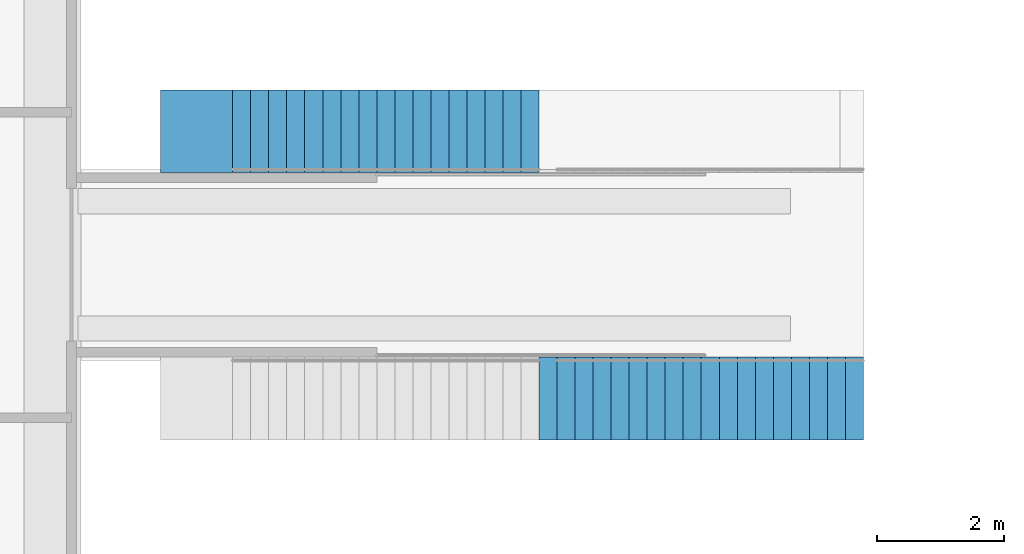
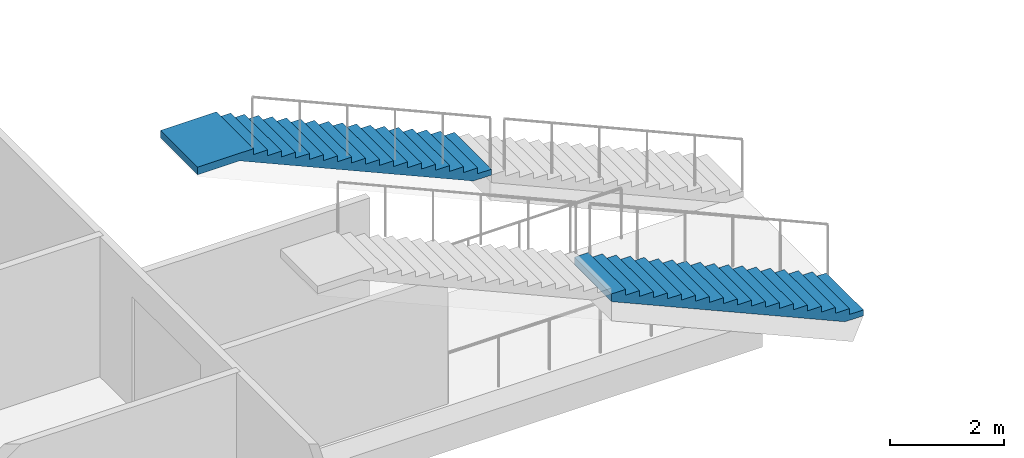
# One storey, part 113 of 175: 2 stair flights, 2 elements without a shape of their own.
"""IFC4 building model written with IfcOpenShell, lengths in metres."""

from ifc_helpers import new_model, si_unit, direction, frame, origin, place, context, subcontext, project, spatial, faceted_brep, material, type_object, element, aggregate, save


model = new_model("IFC4")

# Units and contexts
model_context = context("Model", 3, precision=1e-05, world=origin(), true_north=direction((0.0, 1.0)))
body_context = subcontext(model_context, "Body", "Model", "MODEL_VIEW")
ifc_project = project(units=[si_unit("LENGTHUNIT", "METRE"), si_unit("AREAUNIT", "SQUARE_METRE"), si_unit("VOLUMEUNIT", "CUBIC_METRE"), si_unit("PLANEANGLEUNIT", "RADIAN"), si_unit("MASSUNIT", "GRAM", prefix="KILO")], contexts=[model_context])

# Site, building, storey
site_placement = place(None, origin())
site = spatial("IfcSite", under=ifc_project, at=site_placement, CompositionType="ELEMENT")
building_placement = place(site_placement, origin())
building = spatial("IfcBuilding", under=site, at=building_placement, Name="Ogive Plaza Stadium", CompositionType="ELEMENT")
storey_placement = place(building_placement, origin())
storey = spatial("IfcBuildingStorey", under=building, at=storey_placement, Name="L00", CompositionType="ELEMENT", Elevation=0.0)

# Stair, stair flight
ifc_material_1 = material(Name="Concrete C40/50", Category="concrete")
stair_type = type_object("IfcStairType", Name="Aisle stair", PredefinedType="STRAIGHT_RUN_STAIR", material=ifc_material_1)
stair_1_placement = place(storey_placement, origin())
stair_1 = element("IfcStair", 1, at=stair_1_placement, inside=storey, type_object=stair_type, Name="Aisle stair SA27L", PredefinedType="STRAIGHT_RUN_STAIR")
ifc_material_2 = material(Name="Concrete C40/50", Category="concrete")
stair_flight_type = type_object("IfcStairFlightType", Name="Aisle stair flight", PredefinedType="STRAIGHT", material=ifc_material_2)
stair_flight_1_placement = place(storey_placement, frame((-54.25, 47.10009765625, 2.25), z_axis=(0.0, 0.0, 1.0), x_axis=(-1.0, 0.0, 0.0)))
stair_flight_1 = element("IfcStairFlight", 2, at=stair_flight_1_placement, type_object=stair_flight_type, Name="SA27L flight 2", NumberOfRisers=18, NumberOfTreads=17, PredefinedType="STRAIGHT", RiserHeight=0.125, TreadLength=0.283333333, context=body_context, shape_type="Brep", body=[
    faceted_brep([(0.371337890625, -0.64990234375, 0.0), (5.10009765625, -0.64990234375, 2.086181640625), (5.949951171875, -0.64990234375, 2.086181640625), (5.949951171875, -0.64990234375, 2.25), (4.816650390625, -0.64990234375, 2.25), (4.816650390625, -0.64990234375, 2.125), (4.533447265625, -0.64990234375, 2.125), (4.533447265625, -0.64990234375, 2.0), (4.25, -0.64990234375, 2.0), (4.25, -0.64990234375, 1.875), (3.966552734375, -0.64990234375, 1.875), (3.966552734375, -0.64990234375, 1.75), (3.683349609375, -0.64990234375, 1.75), (3.683349609375, -0.64990234375, 1.625), (3.39990234375, -0.64990234375, 1.625), (3.39990234375, -0.64990234375, 1.5), (3.11669921875, -0.64990234375, 1.5), (3.11669921875, -0.64990234375, 1.375), (2.833251953125, -0.64990234375, 1.375), (2.833251953125, -0.64990234375, 1.25), (2.550048828125, -0.64990234375, 1.25), (2.550048828125, -0.64990234375, 1.125), (2.2666015625, -0.64990234375, 1.125), (2.2666015625, -0.64990234375, 1.0), (1.9833984375, -0.64990234375, 1.0), (1.9833984375, -0.64990234375, 0.875), (1.699951171875, -0.64990234375, 0.875), (1.699951171875, -0.64990234375, 0.75), (1.416748046875, -0.64990234375, 0.75), (1.416748046875, -0.64990234375, 0.625), (1.13330078125, -0.64990234375, 0.625), (1.13330078125, -0.64990234375, 0.5), (0.85009765625, -0.64990234375, 0.5), (0.85009765625, -0.64990234375, 0.375), (0.566650390625, -0.64990234375, 0.375), (0.566650390625, -0.64990234375, 0.25), (0.283447265625, -0.64990234375, 0.25), (0.283447265625, -0.64990234375, 0.125), (0.0, -0.64990234375, 0.125), (0.0, -0.64990234375, 0.0), (0.0, 0.64990234375, 0.0), (0.0, 0.64990234375, 0.125), (0.283447265625, 0.64990234375, 0.125), (0.283447265625, 0.64990234375, 0.25), (0.566650390625, 0.64990234375, 0.25), (0.566650390625, 0.64990234375, 0.375), (0.85009765625, 0.64990234375, 0.375), (0.85009765625, 0.64990234375, 0.5), (1.13330078125, 0.64990234375, 0.5), (1.13330078125, 0.64990234375, 0.625), (1.416748046875, 0.64990234375, 0.625), (1.416748046875, 0.64990234375, 0.75), (1.699951171875, 0.64990234375, 0.75), (1.699951171875, 0.64990234375, 0.875), (1.9833984375, 0.64990234375, 0.875), (1.9833984375, 0.64990234375, 1.0), (2.2666015625, 0.64990234375, 1.0), (2.2666015625, 0.64990234375, 1.125), (2.550048828125, 0.64990234375, 1.125), (2.550048828125, 0.64990234375, 1.25), (2.833251953125, 0.64990234375, 1.25), (2.833251953125, 0.64990234375, 1.375), (3.11669921875, 0.64990234375, 1.375), (3.11669921875, 0.64990234375, 1.5), (3.39990234375, 0.64990234375, 1.5), (3.39990234375, 0.64990234375, 1.625), (3.683349609375, 0.64990234375, 1.625), (3.683349609375, 0.64990234375, 1.75), (3.966552734375, 0.64990234375, 1.75), (3.966552734375, 0.64990234375, 1.875), (4.25, 0.64990234375, 1.875), (4.25, 0.64990234375, 2.0), (4.533447265625, 0.64990234375, 2.0), (4.533447265625, 0.64990234375, 2.125), (4.816650390625, 0.64990234375, 2.125), (4.816650390625, 0.64990234375, 2.25), (5.949951171875, 0.64990234375, 2.25), (5.949951171875, 0.64990234375, 2.086181640625), (5.10009765625, 0.64990234375, 2.086181640625), (0.371337890625, 0.64990234375, 0.0), (0.371337890625, -0.324951171875, 0.0), (5.10009765625, -0.324951171875, 2.086181640625), (0.371337890625, 0.0, 0.0), (5.10009765625, 0.0, 2.086181640625), (0.371337890625, 0.324951171875, 0.0), (5.10009765625, 0.324951171875, 2.086181640625), (5.949951171875, -0.324951171875, 2.086181640625), (5.949951171875, 0.0, 2.086181640625), (5.949951171875, 0.324951171875, 2.086181640625), (5.949951171875, -0.324951171875, 2.25), (5.949951171875, 0.0, 2.25), (5.949951171875, 0.324951171875, 2.25), (4.816650390625, -0.324951171875, 2.25), (4.816650390625, 0.0, 2.25), (4.816650390625, 0.324951171875, 2.25), (4.816650390625, -0.324951171875, 2.125), (4.816650390625, 0.0, 2.125), (4.816650390625, 0.324951171875, 2.125), (4.533447265625, -0.324951171875, 2.125), (4.533447265625, 0.0, 2.125), (4.533447265625, 0.324951171875, 2.125), (4.533447265625, -0.324951171875, 2.0), (4.533447265625, 0.0, 2.0), (4.533447265625, 0.324951171875, 2.0), (4.25, -0.324951171875, 2.0), (4.25, 0.0, 2.0), (4.25, 0.324951171875, 2.0), (4.25, -0.324951171875, 1.875), (4.25, 0.0, 1.875), (4.25, 0.324951171875, 1.875), (3.966552734375, -0.324951171875, 1.875), (3.966552734375, 0.0, 1.875), (3.966552734375, 0.324951171875, 1.875), (3.966552734375, -0.324951171875, 1.75), (3.966552734375, 0.0, 1.75), (3.966552734375, 0.324951171875, 1.75), (3.683349609375, -0.324951171875, 1.75), (3.683349609375, 0.0, 1.75), (3.683349609375, 0.324951171875, 1.75), (3.683349609375, -0.324951171875, 1.625), (3.683349609375, 0.0, 1.625), (3.683349609375, 0.324951171875, 1.625), (3.39990234375, -0.324951171875, 1.625), (3.39990234375, 0.0, 1.625), (3.39990234375, 0.324951171875, 1.625), (3.39990234375, -0.324951171875, 1.5), (3.39990234375, 0.0, 1.5), (3.39990234375, 0.324951171875, 1.5), (3.11669921875, -0.324951171875, 1.5), (3.11669921875, 0.0, 1.5), (3.11669921875, 0.324951171875, 1.5), (3.11669921875, -0.324951171875, 1.375), (3.11669921875, 0.0, 1.375), (3.11669921875, 0.324951171875, 1.375), (2.833251953125, -0.324951171875, 1.375), (2.833251953125, 0.0, 1.375), (2.833251953125, 0.324951171875, 1.375), (2.833251953125, -0.324951171875, 1.25), (2.833251953125, 0.0, 1.25), (2.833251953125, 0.324951171875, 1.25), (2.550048828125, -0.324951171875, 1.25), (2.550048828125, 0.0, 1.25), (2.550048828125, 0.324951171875, 1.25), (2.550048828125, -0.324951171875, 1.125), (2.550048828125, 0.0, 1.125), (2.550048828125, 0.324951171875, 1.125), (2.2666015625, -0.324951171875, 1.125), (2.2666015625, 0.0, 1.125), (2.2666015625, 0.324951171875, 1.125), (2.2666015625, -0.324951171875, 1.0), (2.2666015625, 0.0, 1.0), (2.2666015625, 0.324951171875, 1.0), (1.9833984375, -0.324951171875, 1.0), (1.9833984375, 0.0, 1.0), (1.9833984375, 0.324951171875, 1.0), (1.9833984375, -0.324951171875, 0.875), (1.9833984375, 0.0, 0.875), (1.9833984375, 0.324951171875, 0.875), (1.699951171875, -0.324951171875, 0.875), (1.699951171875, 0.0, 0.875), (1.699951171875, 0.324951171875, 0.875), (1.699951171875, -0.324951171875, 0.75), (1.699951171875, 0.0, 0.75), (1.699951171875, 0.324951171875, 0.75), (1.416748046875, -0.324951171875, 0.75), (1.416748046875, 0.0, 0.75), (1.416748046875, 0.324951171875, 0.75), (1.416748046875, -0.324951171875, 0.625), (1.416748046875, 0.0, 0.625), (1.416748046875, 0.324951171875, 0.625), (1.13330078125, -0.324951171875, 0.625), (1.13330078125, 0.0, 0.625), (1.13330078125, 0.324951171875, 0.625), (1.13330078125, -0.324951171875, 0.5), (1.13330078125, 0.0, 0.5), (1.13330078125, 0.324951171875, 0.5), (0.85009765625, -0.324951171875, 0.5), (0.85009765625, 0.0, 0.5), (0.85009765625, 0.324951171875, 0.5), (0.85009765625, -0.324951171875, 0.375), (0.85009765625, 0.0, 0.375), (0.85009765625, 0.324951171875, 0.375), (0.566650390625, -0.324951171875, 0.375), (0.566650390625, 0.0, 0.375), (0.566650390625, 0.324951171875, 0.375), (0.566650390625, -0.324951171875, 0.25), (0.566650390625, 0.0, 0.25), (0.566650390625, 0.324951171875, 0.25), (0.283447265625, -0.324951171875, 0.25), (0.283447265625, 0.0, 0.25), (0.283447265625, 0.324951171875, 0.25), (0.283447265625, -0.324951171875, 0.125), (0.283447265625, 0.0, 0.125), (0.283447265625, 0.324951171875, 0.125), (0.0, -0.324951171875, 0.125), (0.0, 0.0, 0.125), (0.0, 0.324951171875, 0.125), (0.0, -0.324951171875, 0.0), (0.0, 0.0, 0.0), (0.0, 0.324951171875, 0.0)], [[[0, 1, 2, 3, 4, 5, 6, 7, 8, 9, 10, 11, 12, 13, 14, 15, 16, 17, 18, 19, 20, 21, 22, 23, 24, 25, 26, 27, 28, 29, 30, 31, 32, 33, 34, 35, 36, 37, 38, 39]], [[40, 41, 42, 43, 44, 45, 46, 47, 48, 49, 50, 51, 52, 53, 54, 55, 56, 57, 58, 59, 60, 61, 62, 63, 64, 65, 66, 67, 68, 69, 70, 71, 72, 73, 74, 75, 76, 77, 78, 79]], [[0, 80, 81, 1]], [[80, 82, 83, 81]], [[82, 84, 85, 83]], [[84, 79, 78, 85]], [[1, 81, 86, 2]], [[81, 83, 87, 86]], [[83, 85, 88, 87]], [[85, 78, 77, 88]], [[2, 86, 89, 3]], [[86, 87, 90, 89]], [[87, 88, 91, 90]], [[88, 77, 76, 91]], [[3, 89, 92, 4]], [[89, 90, 93, 92]], [[90, 91, 94, 93]], [[91, 76, 75, 94]], [[4, 92, 95, 5]], [[92, 93, 96, 95]], [[93, 94, 97, 96]], [[94, 75, 74, 97]], [[5, 95, 98, 6]], [[95, 96, 99, 98]], [[96, 97, 100, 99]], [[97, 74, 73, 100]], [[6, 98, 101, 7]], [[98, 99, 102, 101]], [[99, 100, 103, 102]], [[100, 73, 72, 103]], [[7, 101, 104, 8]], [[101, 102, 105, 104]], [[102, 103, 106, 105]], [[103, 72, 71, 106]], [[8, 104, 107, 9]], [[104, 105, 108, 107]], [[105, 106, 109, 108]], [[106, 71, 70, 109]], [[9, 107, 110, 10]], [[107, 108, 111, 110]], [[108, 109, 112, 111]], [[109, 70, 69, 112]], [[10, 110, 113, 11]], [[110, 111, 114, 113]], [[111, 112, 115, 114]], [[112, 69, 68, 115]], [[11, 113, 116, 12]], [[113, 114, 117, 116]], [[114, 115, 118, 117]], [[115, 68, 67, 118]], [[12, 116, 119, 13]], [[116, 117, 120, 119]], [[117, 118, 121, 120]], [[118, 67, 66, 121]], [[13, 119, 122, 14]], [[119, 120, 123, 122]], [[120, 121, 124, 123]], [[121, 66, 65, 124]], [[14, 122, 125, 15]], [[122, 123, 126, 125]], [[123, 124, 127, 126]], [[124, 65, 64, 127]], [[15, 125, 128, 16]], [[125, 126, 129, 128]], [[126, 127, 130, 129]], [[127, 64, 63, 130]], [[16, 128, 131, 17]], [[128, 129, 132, 131]], [[129, 130, 133, 132]], [[130, 63, 62, 133]], [[17, 131, 134, 18]], [[131, 132, 135, 134]], [[132, 133, 136, 135]], [[133, 62, 61, 136]], [[18, 134, 137, 19]], [[134, 135, 138, 137]], [[135, 136, 139, 138]], [[136, 61, 60, 139]], [[19, 137, 140, 20]], [[137, 138, 141, 140]], [[138, 139, 142, 141]], [[139, 60, 59, 142]], [[20, 140, 143, 21]], [[140, 141, 144, 143]], [[141, 142, 145, 144]], [[142, 59, 58, 145]], [[21, 143, 146, 22]], [[143, 144, 147, 146]], [[144, 145, 148, 147]], [[145, 58, 57, 148]], [[22, 146, 149, 23]], [[146, 147, 150, 149]], [[147, 148, 151, 150]], [[148, 57, 56, 151]], [[23, 149, 152, 24]], [[149, 150, 153, 152]], [[150, 151, 154, 153]], [[151, 56, 55, 154]], [[24, 152, 155, 25]], [[152, 153, 156, 155]], [[153, 154, 157, 156]], [[154, 55, 54, 157]], [[25, 155, 158, 26]], [[155, 156, 159, 158]], [[156, 157, 160, 159]], [[157, 54, 53, 160]], [[26, 158, 161, 27]], [[158, 159, 162, 161]], [[159, 160, 163, 162]], [[160, 53, 52, 163]], [[27, 161, 164, 28]], [[161, 162, 165, 164]], [[162, 163, 166, 165]], [[163, 52, 51, 166]], [[28, 164, 167, 29]], [[164, 165, 168, 167]], [[165, 166, 169, 168]], [[166, 51, 50, 169]], [[29, 167, 170, 30]], [[167, 168, 171, 170]], [[168, 169, 172, 171]], [[169, 50, 49, 172]], [[30, 170, 173, 31]], [[170, 171, 174, 173]], [[171, 172, 175, 174]], [[172, 49, 48, 175]], [[31, 173, 176, 32]], [[173, 174, 177, 176]], [[174, 175, 178, 177]], [[175, 48, 47, 178]], [[32, 176, 179, 33]], [[176, 177, 180, 179]], [[177, 178, 181, 180]], [[178, 47, 46, 181]], [[33, 179, 182, 34]], [[179, 180, 183, 182]], [[180, 181, 184, 183]], [[181, 46, 45, 184]], [[34, 182, 185, 35]], [[182, 183, 186, 185]], [[183, 184, 187, 186]], [[184, 45, 44, 187]], [[35, 185, 188, 36]], [[185, 186, 189, 188]], [[186, 187, 190, 189]], [[187, 44, 43, 190]], [[36, 188, 191, 37]], [[188, 189, 192, 191]], [[189, 190, 193, 192]], [[190, 43, 42, 193]], [[37, 191, 194, 38]], [[191, 192, 195, 194]], [[192, 193, 196, 195]], [[193, 42, 41, 196]], [[38, 194, 197, 39]], [[194, 195, 198, 197]], [[195, 196, 199, 198]], [[196, 41, 40, 199]], [[39, 197, 80, 0]], [[197, 198, 82, 80]], [[198, 199, 84, 82]], [[199, 40, 79, 84]]]),
])
aggregate(stair_1, [stair_flight_1])

stair_2_placement = place(storey_placement, origin())
stair_2 = element("IfcStair", 3, at=stair_2_placement, inside=storey, type_object=stair_type, Name="Aisle stair SA27R", PredefinedType="STRAIGHT_RUN_STAIR")
stair_flight_2_placement = place(storey_placement, frame((-49.14990234375, 42.89990234375, 0.0), z_axis=(0.0, 0.0, 1.0), x_axis=(-1.0, 0.0, 0.0)))
stair_flight_2 = element("IfcStairFlight", 4, at=stair_flight_2_placement, type_object=stair_flight_type, Name="SA27R flight 1", NumberOfRisers=18, NumberOfTreads=17, PredefinedType="STRAIGHT", RiserHeight=0.125, TreadLength=0.283333333, context=body_context, shape_type="Brep", body=[
    faceted_brep([(0.371337890625, -0.64990234375, 0.0), (5.10009765625, -0.64990234375, 2.086181640625), (5.10009765625, -0.64990234375, 2.25), (4.816650390625, -0.64990234375, 2.25), (4.816650390625, -0.64990234375, 2.125), (4.533447265625, -0.64990234375, 2.125), (4.533447265625, -0.64990234375, 2.0), (4.25, -0.64990234375, 2.0), (4.25, -0.64990234375, 1.875), (3.966552734375, -0.64990234375, 1.875), (3.966552734375, -0.64990234375, 1.75), (3.683349609375, -0.64990234375, 1.75), (3.683349609375, -0.64990234375, 1.625), (3.39990234375, -0.64990234375, 1.625), (3.39990234375, -0.64990234375, 1.5), (3.11669921875, -0.64990234375, 1.5), (3.11669921875, -0.64990234375, 1.375), (2.833251953125, -0.64990234375, 1.375), (2.833251953125, -0.64990234375, 1.25), (2.550048828125, -0.64990234375, 1.25), (2.550048828125, -0.64990234375, 1.125), (2.2666015625, -0.64990234375, 1.125), (2.2666015625, -0.64990234375, 1.0), (1.9833984375, -0.64990234375, 1.0), (1.9833984375, -0.64990234375, 0.875), (1.699951171875, -0.64990234375, 0.875), (1.699951171875, -0.64990234375, 0.75), (1.416748046875, -0.64990234375, 0.75), (1.416748046875, -0.64990234375, 0.625), (1.13330078125, -0.64990234375, 0.625), (1.13330078125, -0.64990234375, 0.5), (0.85009765625, -0.64990234375, 0.5), (0.85009765625, -0.64990234375, 0.375), (0.566650390625, -0.64990234375, 0.375), (0.566650390625, -0.64990234375, 0.25), (0.283447265625, -0.64990234375, 0.25), (0.283447265625, -0.64990234375, 0.125), (0.0, -0.64990234375, 0.125), (0.0, -0.64990234375, 0.0), (0.0, 0.64990234375, 0.0), (0.0, 0.64990234375, 0.125), (0.283447265625, 0.64990234375, 0.125), (0.283447265625, 0.64990234375, 0.25), (0.566650390625, 0.64990234375, 0.25), (0.566650390625, 0.64990234375, 0.375), (0.85009765625, 0.64990234375, 0.375), (0.85009765625, 0.64990234375, 0.5), (1.13330078125, 0.64990234375, 0.5), (1.13330078125, 0.64990234375, 0.625), (1.416748046875, 0.64990234375, 0.625), (1.416748046875, 0.64990234375, 0.75), (1.699951171875, 0.64990234375, 0.75), (1.699951171875, 0.64990234375, 0.875), (1.9833984375, 0.64990234375, 0.875), (1.9833984375, 0.64990234375, 1.0), (2.2666015625, 0.64990234375, 1.0), (2.2666015625, 0.64990234375, 1.125), (2.550048828125, 0.64990234375, 1.125), (2.550048828125, 0.64990234375, 1.25), (2.833251953125, 0.64990234375, 1.25), (2.833251953125, 0.64990234375, 1.375), (3.11669921875, 0.64990234375, 1.375), (3.11669921875, 0.64990234375, 1.5), (3.39990234375, 0.64990234375, 1.5), (3.39990234375, 0.64990234375, 1.625), (3.683349609375, 0.64990234375, 1.625), (3.683349609375, 0.64990234375, 1.75), (3.966552734375, 0.64990234375, 1.75), (3.966552734375, 0.64990234375, 1.875), (4.25, 0.64990234375, 1.875), (4.25, 0.64990234375, 2.0), (4.533447265625, 0.64990234375, 2.0), (4.533447265625, 0.64990234375, 2.125), (4.816650390625, 0.64990234375, 2.125), (4.816650390625, 0.64990234375, 2.25), (5.10009765625, 0.64990234375, 2.25), (5.10009765625, 0.64990234375, 2.086181640625), (0.371337890625, 0.64990234375, 0.0), (0.371337890625, -0.324951171875, 0.0), (5.10009765625, -0.324951171875, 2.086181640625), (0.371337890625, 0.0, 0.0), (5.10009765625, 0.0, 2.086181640625), (0.371337890625, 0.324951171875, 0.0), (5.10009765625, 0.324951171875, 2.086181640625), (5.10009765625, -0.324951171875, 2.25), (5.10009765625, 0.0, 2.25), (5.10009765625, 0.324951171875, 2.25), (4.816650390625, -0.324951171875, 2.25), (4.816650390625, 0.0, 2.25), (4.816650390625, 0.324951171875, 2.25), (4.816650390625, -0.324951171875, 2.125), (4.816650390625, 0.0, 2.125), (4.816650390625, 0.324951171875, 2.125), (4.533447265625, -0.324951171875, 2.125), (4.533447265625, 0.0, 2.125), (4.533447265625, 0.324951171875, 2.125), (4.533447265625, -0.324951171875, 2.0), (4.533447265625, 0.0, 2.0), (4.533447265625, 0.324951171875, 2.0), (4.25, -0.324951171875, 2.0), (4.25, 0.0, 2.0), (4.25, 0.324951171875, 2.0), (4.25, -0.324951171875, 1.875), (4.25, 0.0, 1.875), (4.25, 0.324951171875, 1.875), (3.966552734375, -0.324951171875, 1.875), (3.966552734375, 0.0, 1.875), (3.966552734375, 0.324951171875, 1.875), (3.966552734375, -0.324951171875, 1.75), (3.966552734375, 0.0, 1.75), (3.966552734375, 0.324951171875, 1.75), (3.683349609375, -0.324951171875, 1.75), (3.683349609375, 0.0, 1.75), (3.683349609375, 0.324951171875, 1.75), (3.683349609375, -0.324951171875, 1.625), (3.683349609375, 0.0, 1.625), (3.683349609375, 0.324951171875, 1.625), (3.39990234375, -0.324951171875, 1.625), (3.39990234375, 0.0, 1.625), (3.39990234375, 0.324951171875, 1.625), (3.39990234375, -0.324951171875, 1.5), (3.39990234375, 0.0, 1.5), (3.39990234375, 0.324951171875, 1.5), (3.11669921875, -0.324951171875, 1.5), (3.11669921875, 0.0, 1.5), (3.11669921875, 0.324951171875, 1.5), (3.11669921875, -0.324951171875, 1.375), (3.11669921875, 0.0, 1.375), (3.11669921875, 0.324951171875, 1.375), (2.833251953125, -0.324951171875, 1.375), (2.833251953125, 0.0, 1.375), (2.833251953125, 0.324951171875, 1.375), (2.833251953125, -0.324951171875, 1.25), (2.833251953125, 0.0, 1.25), (2.833251953125, 0.324951171875, 1.25), (2.550048828125, -0.324951171875, 1.25), (2.550048828125, 0.0, 1.25), (2.550048828125, 0.324951171875, 1.25), (2.550048828125, -0.324951171875, 1.125), (2.550048828125, 0.0, 1.125), (2.550048828125, 0.324951171875, 1.125), (2.2666015625, -0.324951171875, 1.125), (2.2666015625, 0.0, 1.125), (2.2666015625, 0.324951171875, 1.125), (2.2666015625, -0.324951171875, 1.0), (2.2666015625, 0.0, 1.0), (2.2666015625, 0.324951171875, 1.0), (1.9833984375, -0.324951171875, 1.0), (1.9833984375, 0.0, 1.0), (1.9833984375, 0.324951171875, 1.0), (1.9833984375, -0.324951171875, 0.875), (1.9833984375, 0.0, 0.875), (1.9833984375, 0.324951171875, 0.875), (1.699951171875, -0.324951171875, 0.875), (1.699951171875, 0.0, 0.875), (1.699951171875, 0.324951171875, 0.875), (1.699951171875, -0.324951171875, 0.75), (1.699951171875, 0.0, 0.75), (1.699951171875, 0.324951171875, 0.75), (1.416748046875, -0.324951171875, 0.75), (1.416748046875, 0.0, 0.75), (1.416748046875, 0.324951171875, 0.75), (1.416748046875, -0.324951171875, 0.625), (1.416748046875, 0.0, 0.625), (1.416748046875, 0.324951171875, 0.625), (1.13330078125, -0.324951171875, 0.625), (1.13330078125, 0.0, 0.625), (1.13330078125, 0.324951171875, 0.625), (1.13330078125, -0.324951171875, 0.5), (1.13330078125, 0.0, 0.5), (1.13330078125, 0.324951171875, 0.5), (0.85009765625, -0.324951171875, 0.5), (0.85009765625, 0.0, 0.5), (0.85009765625, 0.324951171875, 0.5), (0.85009765625, -0.324951171875, 0.375), (0.85009765625, 0.0, 0.375), (0.85009765625, 0.324951171875, 0.375), (0.566650390625, -0.324951171875, 0.375), (0.566650390625, 0.0, 0.375), (0.566650390625, 0.324951171875, 0.375), (0.566650390625, -0.324951171875, 0.25), (0.566650390625, 0.0, 0.25), (0.566650390625, 0.324951171875, 0.25), (0.283447265625, -0.324951171875, 0.25), (0.283447265625, 0.0, 0.25), (0.283447265625, 0.324951171875, 0.25), (0.283447265625, -0.324951171875, 0.125), (0.283447265625, 0.0, 0.125), (0.283447265625, 0.324951171875, 0.125), (0.0, -0.324951171875, 0.125), (0.0, 0.0, 0.125), (0.0, 0.324951171875, 0.125), (0.0, -0.324951171875, 0.0), (0.0, 0.0, 0.0), (0.0, 0.324951171875, 0.0)], [[[0, 1, 2, 3, 4, 5, 6, 7, 8, 9, 10, 11, 12, 13, 14, 15, 16, 17, 18, 19, 20, 21, 22, 23, 24, 25, 26, 27, 28, 29, 30, 31, 32, 33, 34, 35, 36, 37, 38]], [[39, 40, 41, 42, 43, 44, 45, 46, 47, 48, 49, 50, 51, 52, 53, 54, 55, 56, 57, 58, 59, 60, 61, 62, 63, 64, 65, 66, 67, 68, 69, 70, 71, 72, 73, 74, 75, 76, 77]], [[0, 78, 79, 1]], [[78, 80, 81, 79]], [[80, 82, 83, 81]], [[82, 77, 76, 83]], [[1, 79, 84, 2]], [[79, 81, 85, 84]], [[81, 83, 86, 85]], [[83, 76, 75, 86]], [[2, 84, 87, 3]], [[84, 85, 88, 87]], [[85, 86, 89, 88]], [[86, 75, 74, 89]], [[3, 87, 90, 4]], [[87, 88, 91, 90]], [[88, 89, 92, 91]], [[89, 74, 73, 92]], [[4, 90, 93, 5]], [[90, 91, 94, 93]], [[91, 92, 95, 94]], [[92, 73, 72, 95]], [[5, 93, 96, 6]], [[93, 94, 97, 96]], [[94, 95, 98, 97]], [[95, 72, 71, 98]], [[6, 96, 99, 7]], [[96, 97, 100, 99]], [[97, 98, 101, 100]], [[98, 71, 70, 101]], [[7, 99, 102, 8]], [[99, 100, 103, 102]], [[100, 101, 104, 103]], [[101, 70, 69, 104]], [[8, 102, 105, 9]], [[102, 103, 106, 105]], [[103, 104, 107, 106]], [[104, 69, 68, 107]], [[9, 105, 108, 10]], [[105, 106, 109, 108]], [[106, 107, 110, 109]], [[107, 68, 67, 110]], [[10, 108, 111, 11]], [[108, 109, 112, 111]], [[109, 110, 113, 112]], [[110, 67, 66, 113]], [[11, 111, 114, 12]], [[111, 112, 115, 114]], [[112, 113, 116, 115]], [[113, 66, 65, 116]], [[12, 114, 117, 13]], [[114, 115, 118, 117]], [[115, 116, 119, 118]], [[116, 65, 64, 119]], [[13, 117, 120, 14]], [[117, 118, 121, 120]], [[118, 119, 122, 121]], [[119, 64, 63, 122]], [[14, 120, 123, 15]], [[120, 121, 124, 123]], [[121, 122, 125, 124]], [[122, 63, 62, 125]], [[15, 123, 126, 16]], [[123, 124, 127, 126]], [[124, 125, 128, 127]], [[125, 62, 61, 128]], [[16, 126, 129, 17]], [[126, 127, 130, 129]], [[127, 128, 131, 130]], [[128, 61, 60, 131]], [[17, 129, 132, 18]], [[129, 130, 133, 132]], [[130, 131, 134, 133]], [[131, 60, 59, 134]], [[18, 132, 135, 19]], [[132, 133, 136, 135]], [[133, 134, 137, 136]], [[134, 59, 58, 137]], [[19, 135, 138, 20]], [[135, 136, 139, 138]], [[136, 137, 140, 139]], [[137, 58, 57, 140]], [[20, 138, 141, 21]], [[138, 139, 142, 141]], [[139, 140, 143, 142]], [[140, 57, 56, 143]], [[21, 141, 144, 22]], [[141, 142, 145, 144]], [[142, 143, 146, 145]], [[143, 56, 55, 146]], [[22, 144, 147, 23]], [[144, 145, 148, 147]], [[145, 146, 149, 148]], [[146, 55, 54, 149]], [[23, 147, 150, 24]], [[147, 148, 151, 150]], [[148, 149, 152, 151]], [[149, 54, 53, 152]], [[24, 150, 153, 25]], [[150, 151, 154, 153]], [[151, 152, 155, 154]], [[152, 53, 52, 155]], [[25, 153, 156, 26]], [[153, 154, 157, 156]], [[154, 155, 158, 157]], [[155, 52, 51, 158]], [[26, 156, 159, 27]], [[156, 157, 160, 159]], [[157, 158, 161, 160]], [[158, 51, 50, 161]], [[27, 159, 162, 28]], [[159, 160, 163, 162]], [[160, 161, 164, 163]], [[161, 50, 49, 164]], [[28, 162, 165, 29]], [[162, 163, 166, 165]], [[163, 164, 167, 166]], [[164, 49, 48, 167]], [[29, 165, 168, 30]], [[165, 166, 169, 168]], [[166, 167, 170, 169]], [[167, 48, 47, 170]], [[30, 168, 171, 31]], [[168, 169, 172, 171]], [[169, 170, 173, 172]], [[170, 47, 46, 173]], [[31, 171, 174, 32]], [[171, 172, 175, 174]], [[172, 173, 176, 175]], [[173, 46, 45, 176]], [[32, 174, 177, 33]], [[174, 175, 178, 177]], [[175, 176, 179, 178]], [[176, 45, 44, 179]], [[33, 177, 180, 34]], [[177, 178, 181, 180]], [[178, 179, 182, 181]], [[179, 44, 43, 182]], [[34, 180, 183, 35]], [[180, 181, 184, 183]], [[181, 182, 185, 184]], [[182, 43, 42, 185]], [[35, 183, 186, 36]], [[183, 184, 187, 186]], [[184, 185, 188, 187]], [[185, 42, 41, 188]], [[36, 186, 189, 37]], [[186, 187, 190, 189]], [[187, 188, 191, 190]], [[188, 41, 40, 191]], [[37, 189, 192, 38]], [[189, 190, 193, 192]], [[190, 191, 194, 193]], [[191, 40, 39, 194]], [[38, 192, 78, 0]], [[192, 193, 80, 78]], [[193, 194, 82, 80]], [[194, 39, 77, 82]]]),
])
aggregate(stair_2, [stair_flight_2])

save(model, "model.ifc")
